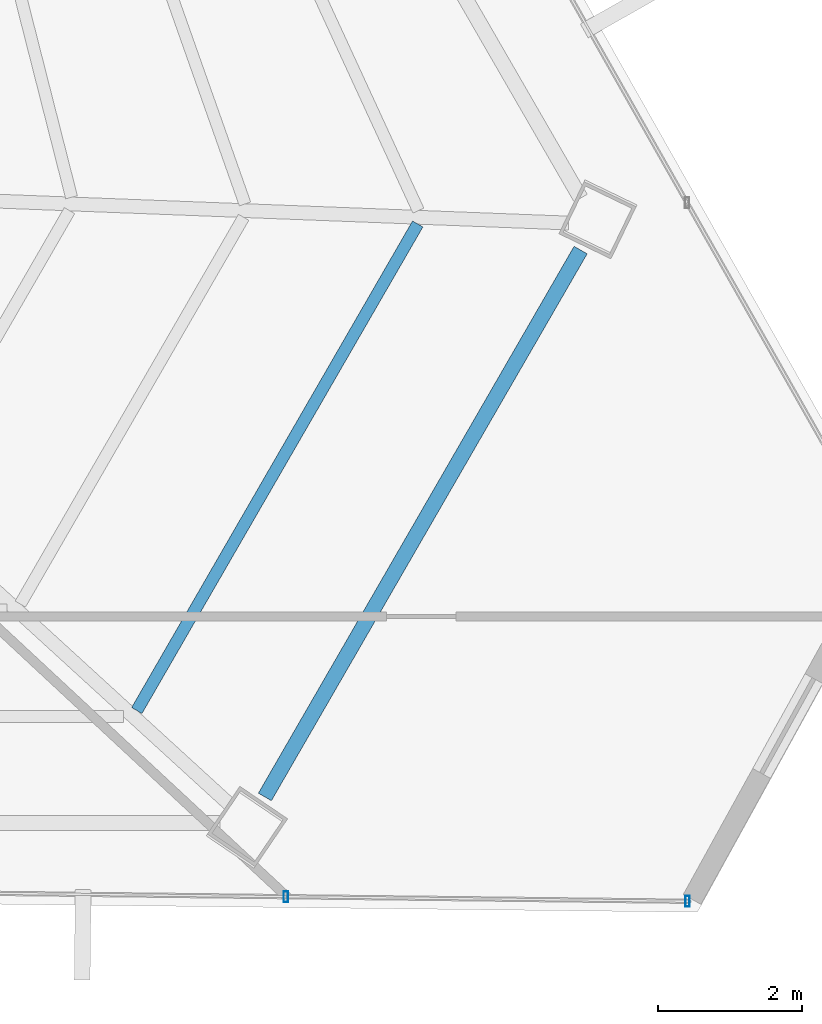
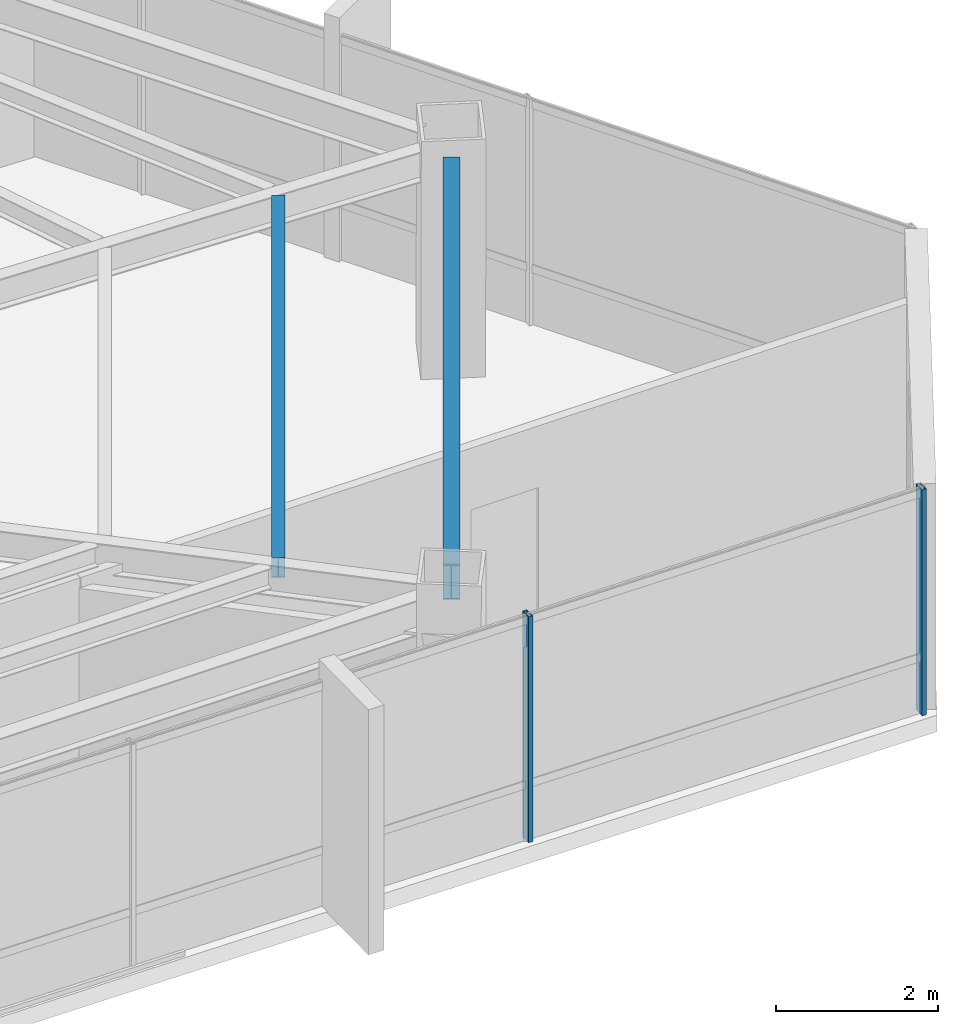
# One storey, part 20 of 40: 2 beams, 2 members, 1 element without a shape of its own.
"""IFC4 building model written with IfcOpenShell, lengths in metres."""

from ifc_helpers import new_model, si_unit, direction, frame, origin, origin_2d, place, context, subcontext, project, spatial, hollow_rectangle, i_section, extrude, source, transform, mapped, material, material_profile, profile_set, type_object, type_shapes, element, aggregate, save


model = new_model("IFC4")

# Units and contexts
model_context = context("Model", 3, precision=1e-05, world=origin(), true_north=direction((0.0, 1.0)))
body_context = subcontext(model_context, "Body", "Model", "MODEL_VIEW")
ifc_project = project(units=[si_unit("LENGTHUNIT", "METRE"), si_unit("AREAUNIT", "SQUARE_METRE"), si_unit("VOLUMEUNIT", "CUBIC_METRE"), si_unit("PLANEANGLEUNIT", "RADIAN"), si_unit("MASSUNIT", "GRAM", prefix="KILO")], contexts=[model_context])

# Site, building, storey
site_placement = place(None, origin())
site = spatial("IfcSite", under=ifc_project, at=site_placement, CompositionType="ELEMENT")
building_placement = place(site_placement, origin())
building = spatial("IfcBuilding", under=site, at=building_placement, Name="Caelisora Broadcast Tower", CompositionType="ELEMENT")
storey_placement = place(building_placement, frame((0.0, 0.0, 213.25)))
storey = spatial("IfcBuildingStorey", under=building, at=storey_placement, Name="L56", CompositionType="ELEMENT", Elevation=213.25)

# Beams
ifc_material_1 = material(Name="Steel Grade 350 (AS/NZS 3679.1)", Category="steel")
ifc_material_profile_1 = material_profile(ifc_material_1, i_section(OverallWidth=0.208984375, OverallDepth=0.532958984375, WebThickness=0.01025390625, FlangeThickness=0.015625, at=origin_2d()), Name="Steel Grade 350 (AS/NZS 3679.1)")
ifc_profile_set_1 = profile_set([ifc_material_profile_1], Name="Steel Grade 350 (AS/NZS 3679.1)")
beam_type_1 = type_object("IfcBeamType", Name="PG05", PredefinedType="BEAM", material=ifc_profile_set_1)
shared_shape_1 = source(origin(), body_context, "Body", "SweptSolid", [
    extrude(i_section(OverallWidth=0.208984375, OverallDepth=0.532958984375, WebThickness=0.01025390625, FlangeThickness=0.015625, at=origin_2d()), origin(), (0.0, 0.0, 1.0), 8.7470703125),
])
type_shapes(beam_type_1, [shared_shape_1])
beam_1_placement = place(storey_placement, frame((55.389892578125, 8.909912109375, 3.133544921875), z_axis=(0.499999494409, 0.866025695687, 0.0), x_axis=(-0.866025695687, 0.499999494409, 0.0)))
element("IfcBeam", 1, at=beam_1_placement, inside=storey, type_object=beam_type_1, Name="L56 beam PG05", PredefinedType="BEAM", context=body_context, shape_type="MappedRepresentation", body=[
    mapped(shared_shape_1, transform((0.0, 0.0, 0.0), scale=1.0)),
])
ifc_material_profile_2 = material_profile(ifc_material_1, i_section(OverallWidth=0.166015625, OverallDepth=0.30712890625, WebThickness=0.006591796875, FlangeThickness=0.01171875, at=origin_2d()), Name="Steel Grade 350 (AS/NZS 3679.1)")
ifc_profile_set_2 = profile_set([ifc_material_profile_2], Name="Steel Grade 350 (AS/NZS 3679.1)")
beam_type_2 = type_object("IfcBeamType", Name="SB03", PredefinedType="JOIST", material=ifc_profile_set_2)
shared_shape_2 = source(origin(), body_context, "Body", "SweptSolid", [
    extrude(i_section(OverallWidth=0.166015625, OverallDepth=0.30712890625, WebThickness=0.006591796875, FlangeThickness=0.01171875, at=origin_2d()), origin(), (0.0, 0.0, 1.0), 7.78271484375),
])
type_shapes(beam_type_2, [shared_shape_2])
beam_2_placement = place(storey_placement, frame((53.615478515625, 10.106689453125, 3.246337890625), z_axis=(0.500025670448, 0.866010582437, 0.0), x_axis=(-0.866010582437, 0.500025670448, 0.0)))
element("IfcBeam", 2, at=beam_2_placement, inside=storey, type_object=beam_type_2, Name="L56 beam SB03", PredefinedType="JOIST", context=body_context, shape_type="MappedRepresentation", body=[
    mapped(shared_shape_2, transform((0.0, 0.0, 0.0), scale=1.0)),
])

# Curtain wall, members
ifc_material_2 = material(Name="Unitised Aluminium and Low-E Glass Curtain Wall", Category="glass")
curtain_wall_type = type_object("IfcCurtainWallType", Name="CW-Z4", PredefinedType="NOTDEFINED", material=ifc_material_2)
curtain_wall_placement = place(storey_placement, origin())
curtain_wall = element("IfcCurtainWall", 3, at=curtain_wall_placement, inside=storey, type_object=curtain_wall_type, Name="L56 curtain wall CW-Z4", PredefinedType="NOTDEFINED")
ifc_material_3 = material(Name="Aluminium 6063-T6 Anodised Terracotta Bronze", Category="aluminium")
ifc_material_profile_3 = material_profile(ifc_material_3, hollow_rectangle(XDim=0.06005859375, YDim=0.14990234375, WallThickness=0.00341796875, at=origin_2d()), Name="Aluminium 6063-T6 Anodised Terracotta Bronze")
ifc_profile_set_3 = profile_set([ifc_material_profile_3], Name="Aluminium 6063-T6 Anodised Terracotta Bronze")
member_type = type_object("IfcMemberType", Name="CWM-03", PredefinedType="MULLION", material=ifc_profile_set_3)
shared_shape_3 = source(origin(), body_context, "Body", "SweptSolid", [
    extrude(hollow_rectangle(XDim=0.06005859375, YDim=0.14990234375, WallThickness=0.00341796875, at=origin_2d()), origin(), (0.0, 0.0, 1.0), 3.39990234375),
])
type_shapes(member_type, [shared_shape_3])
member_1_placement = place(storey_placement, frame((61.242919921875, 7.464599609375, 0.0), z_axis=(0.0, 0.0, 1.0), x_axis=(1.0, 0.0, 0.0)))
member_1 = element("IfcMember", 4, at=member_1_placement, type_object=member_type, Name="L56-CW-B05 mullion #0", PredefinedType="MULLION", context=body_context, shape_type="MappedRepresentation", body=[
    mapped(shared_shape_3, transform((0.0, 0.0, 0.0), scale=1.0)),
])
member_2_placement = place(storey_placement, frame((55.680908203125, 7.5283203125, 0.0), z_axis=(0.0, 0.0, 1.0), x_axis=(1.0, 0.0, 0.0)))
member_2 = element("IfcMember", 5, at=member_2_placement, type_object=member_type, Name="L56-CW-B05 mullion #1", PredefinedType="MULLION", context=body_context, shape_type="MappedRepresentation", body=[
    mapped(shared_shape_3, transform((0.0, 0.0, 0.0), scale=1.0)),
])
aggregate(curtain_wall, [member_1, member_2])

save(model, "model.ifc")
